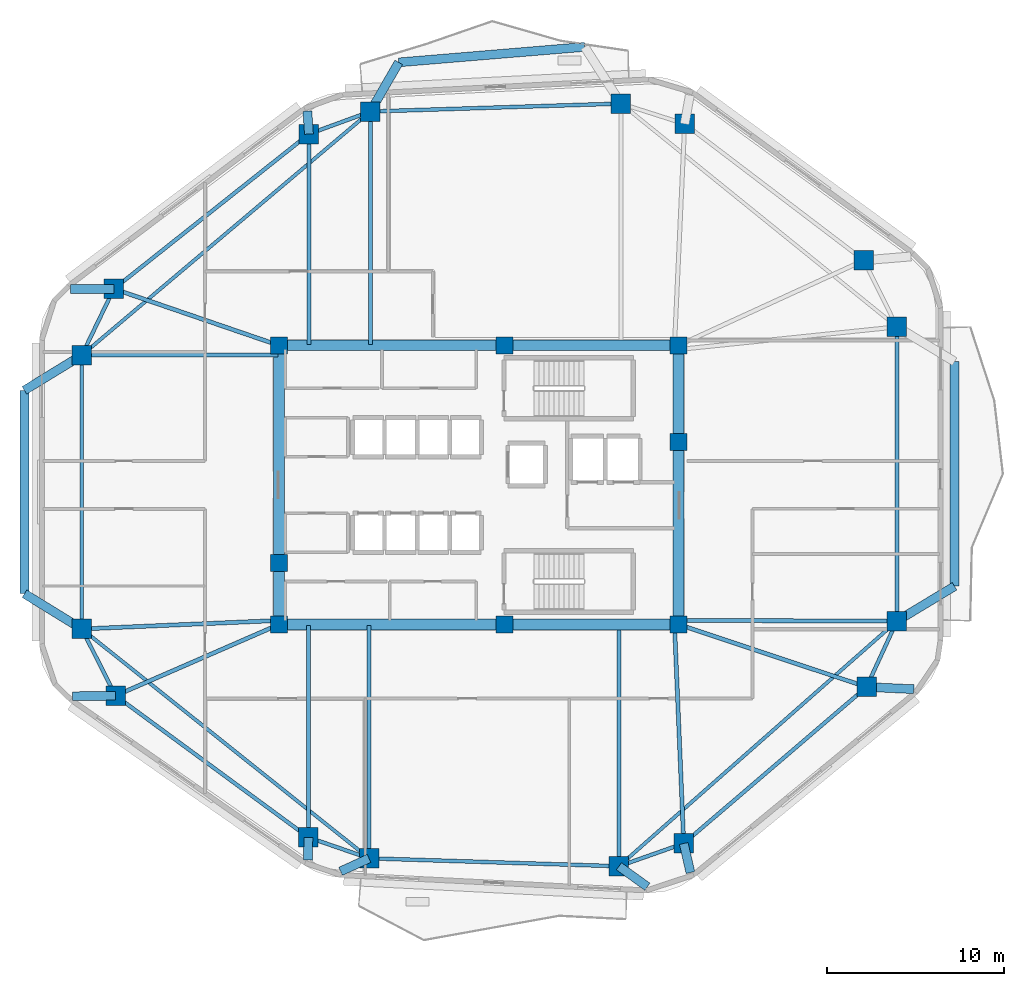
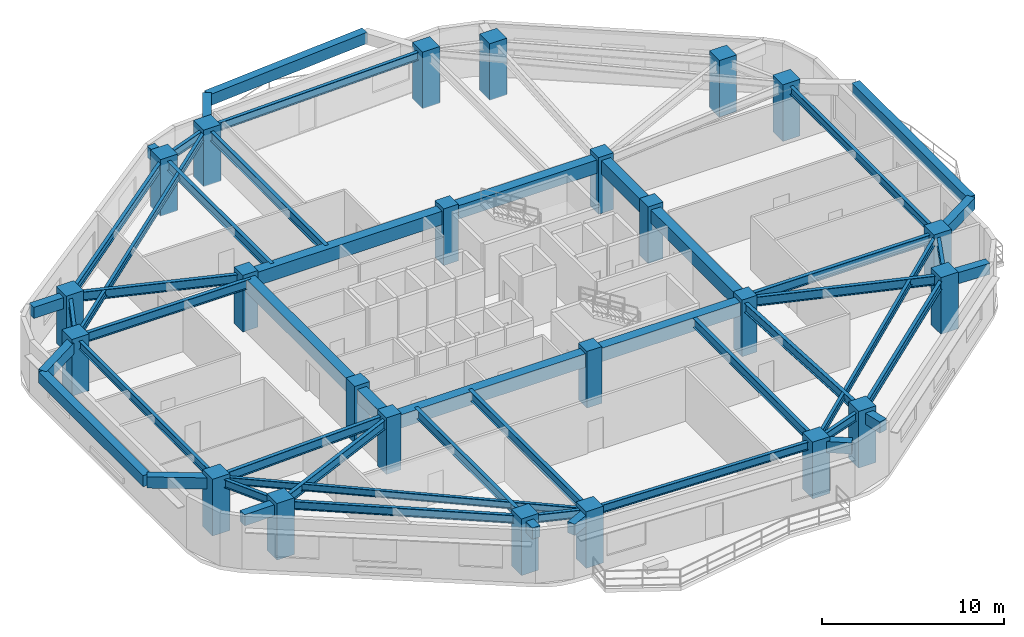
# One storey, part 1 of 8: 51 beams, 24 columns.
"""IFC4 building model written with IfcOpenShell, lengths in metres."""

import ifcopenshell
import ifcopenshell.guid

model = None  # the IFC model being written
_history = None  # IfcOwnerHistory: only IFC2X3 demands one
_inside = {}  # id of a spatial element -> (the spatial element, [elements in it])
_under = {}  # id of a project, library or spatial element -> (it, [spatial elements below it])
_declared = {}  # id of a project -> (the project, [libraries it declares])
_typed = {}  # id of a type object -> (the type object, [elements of that type])
_made_of = {}  # id of a material, layer set ... -> (it, [elements and type objects made of it])


def new_model(schema):
    """Start an empty IFC model of exactly this schema.

    Asked for "IFC4X3", IfcOpenShell would pick the latest addendum, in which some entities
    have other attributes; the version numbers below select the first issue.
    IFC2X3 requires an IfcOwnerHistory on every rooted entity: one is made here for all.
    """
    global model, _history
    if schema == "IFC4X3":
        model = ifcopenshell.file(schema_version=(4, 3, 0, 0))
    else:
        model = ifcopenshell.file(schema=schema)
    _inside.clear()
    _under.clear()
    _declared.clear()
    _typed.clear()
    _made_of.clear()
    _history = None
    if model.schema == "IFC2X3":
        org = make("IfcOrganization", Name="unknown")
        user = make(
            "IfcPersonAndOrganization",
            ThePerson=make("IfcPerson", FamilyName="unknown"),
            TheOrganization=org,
        )
        app = make(
            "IfcApplication",
            ApplicationDeveloper=org,
            Version="unknown",
            ApplicationFullName="unknown",
            ApplicationIdentifier="unknown",
        )
        _history = make(
            "IfcOwnerHistory",
            OwningUser=user,
            OwningApplication=app,
            ChangeAction="ADDED",
            CreationDate=0,
        )
    return model


def make(cls, **values):
    """One entity of the class cls with the attributes given. An attribute that is None is left unset."""
    return model.create_entity(
        cls, **{name: value for name, value in values.items() if value is not None}
    )


def rooted(cls, **values):
    """An entity with a GlobalId (a new one), such as an element, a storey or a relation."""
    return make(cls, GlobalId=ifcopenshell.guid.new(), OwnerHistory=_history, **values)


def si_unit(unit_type, name, prefix=None):
    """IfcSIUnit, for example si_unit("LENGTHUNIT", "METRE", prefix="MILLI")."""
    return make("IfcSIUnit", UnitType=unit_type, Prefix=prefix, Name=name)


def assignment(units):
    """IfcUnitAssignment: the units of a project."""
    return None if units is None else make("IfcUnitAssignment", Units=units)


def point(xyz):
    """IfcCartesianPoint."""
    return None if xyz is None else make("IfcCartesianPoint", Coordinates=xyz)


def direction(xyz):
    """IfcDirection."""
    return None if xyz is None else make("IfcDirection", DirectionRatios=xyz)


def frame(location, z_axis=None, x_axis=None):
    """IfcAxis2Placement3D, a coordinate frame: its origin and axes. An axis left out is left unset."""
    return make(
        "IfcAxis2Placement3D",
        Location=point(location),
        Axis=direction(z_axis),
        RefDirection=direction(x_axis),
    )


def frame_2d(location, x_axis=None):
    """IfcAxis2Placement2D, a coordinate frame in the plane: its origin and x axis."""
    return make(
        "IfcAxis2Placement2D", Location=point(location), RefDirection=direction(x_axis)
    )


def origin():
    """The frame at (0, 0, 0) with its axes left unset."""
    return frame((0.0, 0.0, 0.0))


def origin_2d():
    """The frame at (0, 0) in the plane with its x axis left unset."""
    return frame_2d((0.0, 0.0))


def place(relative_to, where):
    """IfcLocalPlacement: puts the frame where relative to a parent placement (None: the world)."""
    return make(
        "IfcLocalPlacement", PlacementRelTo=relative_to, RelativePlacement=where
    )


def context(
    kind, dimensions, precision=None, world=None, true_north=None, identifier=None
):
    """IfcGeometricRepresentationContext, for example the 3D "Model" context."""
    return make(
        "IfcGeometricRepresentationContext",
        ContextIdentifier=identifier,
        ContextType=kind,
        CoordinateSpaceDimension=dimensions,
        Precision=precision,
        WorldCoordinateSystem=world,
        TrueNorth=true_north,
    )


def subcontext(parent, identifier, kind, view, scale=None):
    """IfcGeometricRepresentationSubContext, for example "Body" below "Model"."""
    return make(
        "IfcGeometricRepresentationSubContext",
        ContextIdentifier=identifier,
        ContextType=kind,
        ParentContext=parent,
        TargetScale=scale,
        TargetView=view,
    )


def project(units=None, contexts=None):
    """IfcProject with its units and contexts."""
    return rooted(
        "IfcProject",
        Name="project",
        RepresentationContexts=contexts,
        UnitsInContext=assignment(units),
    )


def spatial(cls, under=None, at=None, **own):
    """A site, building, storey or space (cls), placed at a placement, below another one or the project."""
    s = rooted(cls, ObjectPlacement=at, **own)
    if under is not None:
        _under.setdefault(under.id(), (under, []))[1].append(s)
    return s


def profile(cls, at=None, kind="AREA", **sizes):
    """A parametric profile (cls). Its sizes go by their IFC names, for example OverallWidth=200.0."""
    return make(cls, ProfileType=kind, Position=at, **sizes)


def rectangle(**sizes):
    """IfcRectangleProfileDef."""
    return profile("IfcRectangleProfileDef", **sizes)


def i_section(**sizes):
    """IfcIShapeProfileDef."""
    return profile("IfcIShapeProfileDef", **sizes)


def extrude(swept, where, along, depth):
    """IfcExtrudedAreaSolid: the profile swept, set in the frame where, extruded along a direction by depth."""
    return make(
        "IfcExtrudedAreaSolid",
        SweptArea=swept,
        Position=where,
        ExtrudedDirection=direction(along),
        Depth=depth,
    )


def shape(context_of_items, identifier, shape_type, items):
    """IfcShapeRepresentation: the items that make up one representation, for example the "Body"."""
    return make(
        "IfcShapeRepresentation",
        ContextOfItems=context_of_items,
        RepresentationIdentifier=identifier,
        RepresentationType=shape_type,
        Items=items,
    )


def material(Name=None, Category=None):
    """IfcMaterial."""
    return make("IfcMaterial", Name=Name, Category=Category)


def material_profile(
    of_material, cross_section, Name=None, Category=None, Priority=None
):
    """IfcMaterialProfile: a cross section and its material."""
    return make(
        "IfcMaterialProfile",
        Name=Name,
        Material=of_material,
        Profile=cross_section,
        Priority=Priority,
        Category=Category,
    )


def profile_set(profiles, Name=None, composite=None):
    """IfcMaterialProfileSet."""
    return make(
        "IfcMaterialProfileSet",
        Name=Name,
        MaterialProfiles=profiles,
        CompositeProfile=composite,
    )


def made_of(thing, what):
    """Note that an element or type object is made of a material, layer set ...; save() writes the relation."""
    if what is not None:
        _made_of.setdefault(what.id(), (what, []))[1].append(thing)
    return thing


def type_object(cls, material=None, **own):
    """A type object (cls), such as IfcWallType, which elements share."""
    return made_of(rooted(cls, **own), material)


def element(
    cls,
    number,
    at=None,
    inside=None,
    cuts=None,
    type_object=None,
    material=None,
    context=None,
    identifier="Body",
    shape_type=None,
    held_by="IfcProductDefinitionShape",
    body=None,
    shapes=None,
    **own,
):
    """One element of the class cls, such as IfcWall. Its Tag is "e" and its number.

    at: its placement. inside: the storey or other place that contains it. cuts: it is an
    opening in that element (IfcRelVoidsElement). A single representation is given by context,
    identifier, shape_type and body (its items); several are given by shapes. held_by: the class
    of the entity that holds the representations. save() writes the other relations.
    """
    e = rooted(cls, Tag="e%d" % number, ObjectPlacement=at, **own)
    if body is not None:
        shapes = [shape(context, identifier, shape_type, body)]
    if shapes is not None:
        e.Representation = make(held_by, Representations=shapes)
    if inside is not None:
        _inside.setdefault(inside.id(), (inside, []))[1].append(e)
    if cuts is not None:
        rooted(
            "IfcRelVoidsElement", RelatingBuildingElement=cuts, RelatedOpeningElement=e
        )
    if type_object is not None:
        _typed.setdefault(type_object.id(), (type_object, []))[1].append(e)
    return made_of(e, material)


def aggregate(whole, parts):
    """IfcRelAggregates: a whole, such as a stair, and the parts it consists of."""
    return rooted("IfcRelAggregates", RelatingObject=whole, RelatedObjects=parts)


def save(model, path):
    """Write the relations noted so far, then the file.

    IfcRelAggregates (storeys below a building ...), IfcRelContainedInSpatialStructure (elements
    in a storey), IfcRelDefinesByType, IfcRelAssociatesMaterial and IfcRelDeclares: one each for
    every whole, place, type object, material and project.
    """
    for whole, parts in _under.values():
        aggregate(whole, parts)
    for where, things in _inside.values():
        rooted(
            "IfcRelContainedInSpatialStructure",
            RelatedElements=things,
            RelatingStructure=where,
        )
    for kind, things in _typed.values():
        rooted("IfcRelDefinesByType", RelatedObjects=things, RelatingType=kind)
    for what, things in _made_of.values():
        rooted("IfcRelAssociatesMaterial", RelatedObjects=things, RelatingMaterial=what)
    for by, libraries in _declared.values():
        rooted("IfcRelDeclares", RelatingContext=by, RelatedDefinitions=libraries)
    model.write(path)


model = new_model("IFC4")

# Units and contexts
model_context = context("Model", 3, precision=1e-05, world=origin(), true_north=direction((0.0, 1.0)))
body_context = subcontext(model_context, "Body", "Model", "MODEL_VIEW")
ifc_project = project(units=[si_unit("LENGTHUNIT", "METRE"), si_unit("AREAUNIT", "SQUARE_METRE"), si_unit("VOLUMEUNIT", "CUBIC_METRE"), si_unit("PLANEANGLEUNIT", "RADIAN"), si_unit("MASSUNIT", "GRAM", prefix="KILO")], contexts=[model_context])

# Site, building, storey
site_placement = place(None, origin())
site = spatial("IfcSite", under=ifc_project, at=site_placement, CompositionType="ELEMENT")
building_placement = place(site_placement, origin())
building = spatial("IfcBuilding", under=site, at=building_placement, Name="Zulverin Broadcast Headquarters", CompositionType="ELEMENT")
storey_placement = place(building_placement, frame((0.0, 0.0, 136.39990234375)))
storey = spatial("IfcBuildingStorey", under=building, at=storey_placement, Name="L34", CompositionType="ELEMENT", Elevation=136.39990234375)

# Columns
ifc_material_1 = material(Name="Concrete C60/75", Category="concrete")
ifc_material_profile_1 = material_profile(ifc_material_1, rectangle(XDim=1.10009765625, YDim=1.10009765625, at=origin_2d()), Name="Concrete C60/75", Category="concrete")
ifc_profile_set_1 = profile_set([ifc_material_profile_1], Name="Concrete C60/75")
column_type_1 = type_object("IfcColumnType", Name="COL-RC-1100", PredefinedType="COLUMN", material=ifc_profile_set_1)
for number, where, z_axis, x_axis, name in (
    (1, (30.80859375, 4.12744140625, 0.0), (0.0, 0.0, 1.0), (1.0, 0.0, 0.0), "L34 Perimeter Column T01"),
    (2, (44.909912109375, 3.68017578125, 0.0), (0.0, 0.0, 1.0), (1.0, 0.0, 0.0), "L34 Perimeter Column T02"),
    (3, (48.569580078125, 4.967041015625, 0.0), (0.0, 0.0, 1.0), (1.0, 0.0, 0.0), "L34 Perimeter Column T03"),
    (4, (58.886962890625, 13.798095703125, 0.0), (0.0, 0.0, 1.0), (1.0, 0.0, 0.0), "L34 Perimeter Column T04"),
    (5, (60.60009765625, 17.519287109375, 0.0), (0.0, 0.0, 1.0), (1.0, 0.0, 0.0), "L34 Perimeter Column T05"),
    (6, (60.60009765625, 34.12158203125, 0.0), (0.0, 0.0, 1.0), (1.0, 0.0, 0.0), "L34 Perimeter Column T06"),
    (7, (58.738037109375, 37.877685546875, 0.0), (0.0, 0.0, 1.0), (1.0, 0.0, 0.0), "L34 Perimeter Column T07"),
    (8, (48.62158203125, 45.574951171875, 0.0), (0.0, 0.0, 1.0), (1.0, 0.0, 0.0), "L34 Perimeter Column T08"),
    (9, (45.027587890625, 46.7236328125, 0.0), (0.0, 0.0, 1.0), (1.0, 0.0, 0.0), "L34 Perimeter Column T09"),
    (10, (30.882080078125, 46.27490234375, 0.0), (0.0, 0.0, 1.0), (1.0, 0.0, 0.0), "L34 Perimeter Column T10"),
    (11, (27.416259765625, 45.00439453125, 0.0), (0.0, 0.0, 1.0), (1.0, 0.0, 0.0), "L34 Perimeter Column T11"),
    (12, (16.40869140625, 36.26806640625, 0.0), (0.0, 0.0, 1.0), (1.0, 0.0, 0.0), "L34 Perimeter Column T12"),
    (13, (14.60009765625, 32.523193359375, 0.0), (0.0, 0.0, 1.0), (1.0, 0.0, 0.0), "L34 Perimeter Column T13"),
    (14, (14.60009765625, 17.072021484375, 0.0), (0.0, 0.0, 1.0), (1.0, 0.0, 0.0), "L34 Perimeter Column T14"),
    (15, (16.50537109375, 13.306884765625, 0.0), (0.0, 0.0, 1.0), (1.0, 0.0, 0.0), "L34 Perimeter Column T15"),
    (16, (27.38720703125, 5.309814453125, 0.0), (0.0, 0.0, 1.0), (1.0, 0.0, 0.0), "L34 Perimeter Column T16"),
):
    element("IfcColumn", number, at=place(storey_placement, frame(where, z_axis=z_axis, x_axis=x_axis)), inside=storey, type_object=column_type_1, Name=name, PredefinedType="COLUMN", context=body_context, shape_type="SweptSolid", body=[
        extrude(rectangle(XDim=1.10009765625, YDim=1.10009765625, at=origin_2d()), origin(), (0.0, 0.0, 1.0), 3.800048828125),
    ])
ifc_material_2 = material(Name="Concrete C50/60", Category="concrete")
ifc_material_profile_2 = material_profile(ifc_material_2, rectangle(XDim=0.949951171875, YDim=0.949951171875, at=origin_2d()), Name="Concrete C50/60", Category="concrete")
ifc_profile_set_2 = profile_set([ifc_material_profile_2], Name="Concrete C50/60")
column_type_2 = type_object("IfcColumnType", Name="PIL-RC-950", PredefinedType="PILASTER", material=ifc_profile_set_2)
for number, where, z_axis, x_axis, name in (
    (17, (25.72509765625, 17.324951171875, 0.0), (0.0, 0.0, 1.0), (1.0, 0.0, 0.0), "L34 Core Pilaster K01"),
    (18, (38.449951171875, 17.324951171875, 0.0), (0.0, 0.0, 1.0), (1.0, 0.0, 0.0), "L34 Core Pilaster K02"),
    (19, (48.27490234375, 17.324951171875, 0.0), (0.0, 0.0, 1.0), (1.0, 0.0, 0.0), "L34 Core Pilaster K03"),
    (20, (48.27490234375, 27.6201171875, 0.0), (0.0, 0.0, 1.0), (1.0, 0.0, 0.0), "L34 Core Pilaster K04"),
    (21, (48.27490234375, 33.074951171875, 0.0), (0.0, 0.0, 1.0), (1.0, 0.0, 0.0), "L34 Core Pilaster K05"),
    (22, (38.449951171875, 33.074951171875, 0.0), (0.0, 0.0, 1.0), (1.0, 0.0, 0.0), "L34 Core Pilaster K06"),
    (23, (25.72509765625, 33.074951171875, 0.0), (0.0, 0.0, 1.0), (1.0, 0.0, 0.0), "L34 Core Pilaster K07"),
    (24, (25.72509765625, 20.800048828125, 0.0), (0.0, 0.0, 1.0), (1.0, 0.0, 0.0), "L34 Core Pilaster K08"),
):
    element("IfcColumn", number, at=place(storey_placement, frame(where, z_axis=z_axis, x_axis=x_axis)), inside=storey, type_object=column_type_2, Name=name, PredefinedType="PILASTER", context=body_context, shape_type="SweptSolid", body=[
        extrude(rectangle(XDim=0.949951171875, YDim=0.949951171875, at=origin_2d()), origin(), (0.0, 0.0, 1.0), 3.800048828125),
    ])

# Beams
ifc_material_profile_3 = material_profile(ifc_material_1, rectangle(XDim=0.60009765625, YDim=0.89990234375, at=origin_2d()), Name="Concrete C60/75", Category="concrete")
ifc_profile_set_3 = profile_set([ifc_material_profile_3], Name="Concrete C60/75")
beam_type_1 = type_object("IfcBeamType", Name="BM-CB-600x900", PredefinedType="LINTEL", material=ifc_profile_set_3)
beam_1_placement = place(storey_placement, frame((25.72509765625, 17.324951171875, 3.090087890625), z_axis=(1.0, 0.0, 0.0), x_axis=(0.0, 1.0, 0.0)))
element("IfcBeam", 25, at=beam_1_placement, inside=storey, type_object=beam_type_1, Name="L34 Core Coupling Girder K01-K02", PredefinedType="LINTEL", context=body_context, shape_type="SweptSolid", body=[
    extrude(rectangle(XDim=0.60009765625, YDim=0.89990234375, at=origin_2d()), origin(), (0.0, 0.0, 1.0), 12.724853515625),
])
beam_2_placement = place(storey_placement, frame((38.449951171875, 17.324951171875, 3.090087890625), z_axis=(1.0, 0.0, 0.0), x_axis=(0.0, 1.0, 0.0)))
element("IfcBeam", 26, at=beam_2_placement, inside=storey, type_object=beam_type_1, Name="L34 Core Coupling Girder K02-K03", PredefinedType="LINTEL", context=body_context, shape_type="SweptSolid", body=[
    extrude(rectangle(XDim=0.60009765625, YDim=0.89990234375, at=origin_2d()), origin(), (0.0, 0.0, 1.0), 9.824951171875),
])
beam_3_placement = place(storey_placement, frame((48.27490234375, 17.324951171875, 3.090087890625), z_axis=(0.0, 1.0, 0.0), x_axis=(-1.0, 0.0, 0.0)))
element("IfcBeam", 27, at=beam_3_placement, inside=storey, type_object=beam_type_1, Name="L34 Core Coupling Girder K03-K04", PredefinedType="LINTEL", context=body_context, shape_type="SweptSolid", body=[
    extrude(rectangle(XDim=0.60009765625, YDim=0.89990234375, at=origin_2d()), origin(), (0.0, 0.0, 1.0), 10.295166015625),
])
beam_4_placement = place(storey_placement, frame((48.27490234375, 27.6201171875, 3.090087890625), z_axis=(0.0, 1.0, 0.0), x_axis=(-1.0, 0.0, 0.0)))
element("IfcBeam", 28, at=beam_4_placement, inside=storey, type_object=beam_type_1, Name="L34 Core Coupling Girder K04-K05", PredefinedType="LINTEL", context=body_context, shape_type="SweptSolid", body=[
    extrude(rectangle(XDim=0.60009765625, YDim=0.89990234375, at=origin_2d()), origin(), (0.0, 0.0, 1.0), 5.454833984375),
])
beam_5_placement = place(storey_placement, frame((48.27490234375, 33.074951171875, 3.090087890625), z_axis=(-1.0, 0.0, 0.0), x_axis=(0.0, -1.0, 0.0)))
element("IfcBeam", 29, at=beam_5_placement, inside=storey, type_object=beam_type_1, Name="L34 Core Coupling Girder K05-K06", PredefinedType="LINTEL", context=body_context, shape_type="SweptSolid", body=[
    extrude(rectangle(XDim=0.60009765625, YDim=0.89990234375, at=origin_2d()), origin(), (0.0, 0.0, 1.0), 9.824951171875),
])
beam_6_placement = place(storey_placement, frame((38.449951171875, 33.074951171875, 3.090087890625), z_axis=(-1.0, 0.0, 0.0), x_axis=(0.0, -1.0, 0.0)))
element("IfcBeam", 30, at=beam_6_placement, inside=storey, type_object=beam_type_1, Name="L34 Core Coupling Girder K06-K07", PredefinedType="LINTEL", context=body_context, shape_type="SweptSolid", body=[
    extrude(rectangle(XDim=0.60009765625, YDim=0.89990234375, at=origin_2d()), origin(), (0.0, 0.0, 1.0), 12.724853515625),
])
beam_7_placement = place(storey_placement, frame((25.72509765625, 33.074951171875, 3.090087890625), z_axis=(0.0, -1.0, 0.0), x_axis=(1.0, 0.0, 0.0)))
element("IfcBeam", 31, at=beam_7_placement, inside=storey, type_object=beam_type_1, Name="L34 Core Coupling Girder K07-K08", PredefinedType="LINTEL", context=body_context, shape_type="SweptSolid", body=[
    extrude(rectangle(XDim=0.60009765625, YDim=0.89990234375, at=origin_2d()), origin(), (0.0, 0.0, 1.0), 12.27490234375),
])
beam_8_placement = place(storey_placement, frame((25.72509765625, 20.800048828125, 3.090087890625), z_axis=(0.0, -1.0, 0.0), x_axis=(1.0, 0.0, 0.0)))
element("IfcBeam", 32, at=beam_8_placement, inside=storey, type_object=beam_type_1, Name="L34 Core Coupling Girder K08-K01", PredefinedType="LINTEL", context=body_context, shape_type="SweptSolid", body=[
    extrude(rectangle(XDim=0.60009765625, YDim=0.89990234375, at=origin_2d()), origin(), (0.0, 0.0, 1.0), 3.47509765625),
])
ifc_material_3 = material(Name="Concrete C40/50", Category="concrete")
ifc_material_profile_4 = material_profile(ifc_material_3, rectangle(XDim=0.5, YDim=0.75, at=origin_2d()), Name="Concrete C40/50", Category="concrete")
ifc_profile_set_4 = profile_set([ifc_material_profile_4], Name="Concrete C40/50")
beam_type_2 = type_object("IfcBeamType", Name="BM-RC-500x750", PredefinedType="BEAM", material=ifc_profile_set_4)
beam_9_placement = place(storey_placement, frame((30.80859375, 4.12744140625, 3.1650390625), z_axis=(-0.909267935358, -0.416211270547, 0.0), x_axis=(0.416211270547, -0.909267935358, 0.0)))
element("IfcBeam", 33, at=beam_9_placement, inside=storey, type_object=beam_type_2, Name="L35 Plate Overhang Back-Spanned Beam OVR-01", PredefinedType="BEAM", context=body_context, shape_type="SweptSolid", body=[
    extrude(rectangle(XDim=0.5, YDim=0.75, at=origin_2d()), origin(), (0.0, 0.0, 1.0), 1.76318359375),
])
beam_10_placement = place(storey_placement, frame((44.909912109375, 3.68017578125, 3.1650390625), z_axis=(0.811920333529, -0.583768251965, 0.0), x_axis=(0.583768251965, 0.811920333529, 0.0)))
element("IfcBeam", 34, at=beam_10_placement, inside=storey, type_object=beam_type_2, Name="L35 Plate Overhang Back-Spanned Beam OVR-02", PredefinedType="BEAM", context=body_context, shape_type="SweptSolid", body=[
    extrude(rectangle(XDim=0.5, YDim=0.75, at=origin_2d()), origin(), (0.0, 0.0, 1.0), 1.978515625),
])
beam_11_placement = place(storey_placement, frame((48.569580078125, 4.967041015625, 3.1650390625), z_axis=(0.224096721795, -0.974566908571, 0.0), x_axis=(0.974566908571, 0.224096721795, 0.0)))
element("IfcBeam", 35, at=beam_11_placement, inside=storey, type_object=beam_type_2, Name="L35 Plate Overhang Back-Spanned Beam OVR-03", PredefinedType="BEAM", context=body_context, shape_type="SweptSolid", body=[
    extrude(rectangle(XDim=0.5, YDim=0.75, at=origin_2d()), origin(), (0.0, 0.0, 1.0), 1.68310546875),
])
beam_12_placement = place(storey_placement, frame((58.886962890625, 13.798095703125, 3.1650390625), z_axis=(0.998923539617, -0.046387088715, 0.0), x_axis=(0.046387088715, 0.998923539617, 0.0)))
element("IfcBeam", 36, at=beam_12_placement, inside=storey, type_object=beam_type_2, Name="L35 Plate Overhang Back-Spanned Beam OVR-04", PredefinedType="BEAM", context=body_context, shape_type="SweptSolid", body=[
    extrude(rectangle(XDim=0.5, YDim=0.75, at=origin_2d()), origin(), (0.0, 0.0, 1.0), 2.66845703125),
])
beam_13_placement = place(storey_placement, frame((27.416259765625, 45.00439453125, 3.1650390625), z_axis=(-0.068312581643, 0.99766396707, 0.0), x_axis=(-0.99766396707, -0.068312581643, 0.0)))
element("IfcBeam", 37, at=beam_13_placement, inside=storey, type_object=beam_type_2, Name="L35 Plate Overhang Back-Spanned Beam OVR-11", PredefinedType="BEAM", context=body_context, shape_type="SweptSolid", body=[
    extrude(rectangle(XDim=0.5, YDim=0.75, at=origin_2d()), origin(), (0.0, 0.0, 1.0), 1.30078125),
])
beam_14_placement = place(storey_placement, frame((16.40869140625, 36.26806640625, 3.1650390625), z_axis=(-0.999988487108, -0.004798505187, 0.0), x_axis=(0.004798505187, -0.999988487108, 0.0)))
element("IfcBeam", 38, at=beam_14_placement, inside=storey, type_object=beam_type_2, Name="L35 Plate Overhang Back-Spanned Beam OVR-12", PredefinedType="BEAM", context=body_context, shape_type="SweptSolid", body=[
    extrude(rectangle(XDim=0.5, YDim=0.75, at=origin_2d()), origin(), (0.0, 0.0, 1.0), 2.442138671875),
])
beam_15_placement = place(storey_placement, frame((16.50537109375, 13.306884765625, 3.1650390625), z_axis=(-0.999905564875, -0.013742682824, 0.0), x_axis=(0.013742682824, -0.999905564875, 0.0)))
element("IfcBeam", 39, at=beam_15_placement, inside=storey, type_object=beam_type_2, Name="L35 Plate Overhang Back-Spanned Beam OVR-15", PredefinedType="BEAM", context=body_context, shape_type="SweptSolid", body=[
    extrude(rectangle(XDim=0.5, YDim=0.75, at=origin_2d()), origin(), (0.0, 0.0, 1.0), 2.433837890625),
])
beam_16_placement = place(storey_placement, frame((27.38720703125, 5.309814453125, 3.1650390625), z_axis=(-0.025087158809, -0.999685267703, 0.0), x_axis=(0.999685267703, -0.025087158809, 0.0)))
element("IfcBeam", 40, at=beam_16_placement, inside=storey, type_object=beam_type_2, Name="L35 Plate Overhang Back-Spanned Beam OVR-16", PredefinedType="BEAM", context=body_context, shape_type="SweptSolid", body=[
    extrude(rectangle(XDim=0.5, YDim=0.75, at=origin_2d()), origin(), (0.0, 0.0, 1.0), 1.28466796875),
])
beam_17_placement = place(storey_placement, frame((60.60009765625, 17.519287109375, 3.1650390625), z_axis=(0.856009727797, 0.516959714017, 0.0), x_axis=(-0.516959714017, 0.856009727797, 0.0)))
element("IfcBeam", 41, at=beam_17_placement, inside=storey, type_object=beam_type_2, Name="L35 Balcony Column-Framed Cantilever BAL_E-1", PredefinedType="BEAM", context=body_context, shape_type="SweptSolid", body=[
    extrude(rectangle(XDim=0.5, YDim=0.75, at=origin_2d()), origin(), (0.0, 0.0, 1.0), 3.7998046875),
])
beam_18_placement = place(storey_placement, frame((63.852783203125, 19.483642578125, 3.1650390625), z_axis=(0.000173323573, 0.999999984979, 0.0), x_axis=(-0.999999984979, 0.000173323573, 0.0)))
element("IfcBeam", 42, at=beam_18_placement, inside=storey, type_object=beam_type_2, Name="L35 Balcony Outer Edge Trimmer Beam BAL_E", PredefinedType="BEAM", context=body_context, shape_type="SweptSolid", body=[
    extrude(rectangle(XDim=0.5, YDim=0.75, at=origin_2d()), origin(), (0.0, 0.0, 1.0), 12.67724609375),
])
beam_19_placement = place(storey_placement, frame((30.882080078125, 46.27490234375, 3.1650390625), z_axis=(0.500203959339, 0.865907615778, 0.0), x_axis=(-0.865907615778, 0.500203959339, 0.0)))
element("IfcBeam", 43, at=beam_19_placement, inside=storey, type_object=beam_type_2, Name="L35 Balcony Column-Framed Cantilever BAL_N-2", PredefinedType="BEAM", context=body_context, shape_type="SweptSolid", body=[
    extrude(rectangle(XDim=0.5, YDim=0.75, at=origin_2d()), origin(), (0.0, 0.0, 1.0), 3.203857421875),
])
beam_20_placement = place(storey_placement, frame((42.9765625, 49.922607421875, 3.1650390625), z_axis=(-0.996551992505, -0.082970634769, 0.0), x_axis=(0.082970634769, -0.996551992505, 0.0)))
element("IfcBeam", 44, at=beam_20_placement, inside=storey, type_object=beam_type_2, Name="L35 Balcony Outer Edge Trimmer Beam BAL_N", PredefinedType="BEAM", context=body_context, shape_type="SweptSolid", body=[
    extrude(rectangle(XDim=0.5, YDim=0.75, at=origin_2d()), origin(), (0.0, 0.0, 1.0), 10.5283203125),
])
beam_21_placement = place(storey_placement, frame((14.60009765625, 32.523193359375, 3.1650390625), z_axis=(-0.852717571214, -0.522372227194, 0.0), x_axis=(0.522372227194, -0.852717571214, 0.0)))
element("IfcBeam", 45, at=beam_21_placement, inside=storey, type_object=beam_type_2, Name="L35 Balcony Column-Framed Cantilever BAL_W-1", PredefinedType="BEAM", context=body_context, shape_type="SweptSolid", body=[
    extrude(rectangle(XDim=0.5, YDim=0.75, at=origin_2d()), origin(), (0.0, 0.0, 1.0), 3.80029296875),
])
beam_22_placement = place(storey_placement, frame((14.60009765625, 17.072021484375, 3.1650390625), z_axis=(-0.851870018849, 0.523753253915, 0.0), x_axis=(-0.523753253915, -0.851870018849, 0.0)))
element("IfcBeam", 46, at=beam_22_placement, inside=storey, type_object=beam_type_2, Name="L35 Balcony Column-Framed Cantilever BAL_W-2", PredefinedType="BEAM", context=body_context, shape_type="SweptSolid", body=[
    extrude(rectangle(XDim=0.5, YDim=0.75, at=origin_2d()), origin(), (0.0, 0.0, 1.0), 3.800048828125),
])
beam_23_placement = place(storey_placement, frame((11.359619140625, 30.5380859375, 3.1650390625), z_axis=(0.000297840642, -0.999999955645, 0.0), x_axis=(0.999999955645, 0.000297840642, 0.0)))
element("IfcBeam", 47, at=beam_23_placement, inside=storey, type_object=beam_type_2, Name="L35 Balcony Outer Edge Trimmer Beam BAL_W", PredefinedType="BEAM", context=body_context, shape_type="SweptSolid", body=[
    extrude(rectangle(XDim=0.5, YDim=0.75, at=origin_2d()), origin(), (0.0, 0.0, 1.0), 11.475830078125),
])
ifc_material_4 = material(Name="Structural steel S355JR", Category="steel")
ifc_material_profile_5 = material_profile(ifc_material_4, i_section(OverallWidth=0.19287109375, OverallDepth=0.46728515625, WebThickness=0.011474609375, FlangeThickness=0.01953125, at=origin_2d()), Name="Structural steel S355JR", Category="steel")
ifc_profile_set_5 = profile_set([ifc_material_profile_5], Name="Structural steel S355JR")
beam_type_3 = type_object("IfcBeamType", Name="BM-UB-457", PredefinedType="JOIST", material=ifc_profile_set_5)
beam_24_placement = place(storey_placement, frame((44.909912109375, 3.68017578125, 3.306396484375), z_axis=(0.74996043981, 0.661482682102, 0.0), x_axis=(-0.661482682102, 0.74996043981, 0.0)))
element("IfcBeam", 48, at=beam_24_placement, inside=storey, type_object=beam_type_3, Name="L34 Chordal Floor Joist J-01", PredefinedType="JOIST", context=body_context, shape_type="SweptSolid", body=[
    extrude(i_section(OverallWidth=0.19287109375, OverallDepth=0.46728515625, WebThickness=0.011474609375, FlangeThickness=0.01953125, at=origin_2d()), origin(), (0.0, 0.0, 1.0), 20.92138671875),
])
beam_25_placement = place(storey_placement, frame((30.882080078125, 46.27490234375, 3.306396484375), z_axis=(-0.763972566446, -0.645248725468, 0.0), x_axis=(0.645248725468, -0.763972566446, 0.0)))
element("IfcBeam", 49, at=beam_25_placement, inside=storey, type_object=beam_type_3, Name="L34 Chordal Floor Joist J-03", PredefinedType="JOIST", context=body_context, shape_type="SweptSolid", body=[
    extrude(i_section(OverallWidth=0.19287109375, OverallDepth=0.46728515625, WebThickness=0.011474609375, FlangeThickness=0.01953125, at=origin_2d()), origin(), (0.0, 0.0, 1.0), 21.312255859375),
])
beam_26_placement = place(storey_placement, frame((14.60009765625, 17.072021484375, 3.306396484375), z_axis=(0.781390996609, -0.624041753746, 0.0), x_axis=(0.624041753746, 0.781390996609, 0.0)))
element("IfcBeam", 50, at=beam_26_placement, inside=storey, type_object=beam_type_3, Name="L34 Chordal Floor Joist J-04", PredefinedType="JOIST", context=body_context, shape_type="SweptSolid", body=[
    extrude(i_section(OverallWidth=0.19287109375, OverallDepth=0.46728515625, WebThickness=0.011474609375, FlangeThickness=0.01953125, at=origin_2d()), origin(), (0.0, 0.0, 1.0), 20.7431640625),
])
ifc_material_profile_6 = material_profile(ifc_material_4, i_section(OverallWidth=0.2119140625, OverallDepth=0.54443359375, WebThickness=0.0126953125, FlangeThickness=0.021240234375, at=origin_2d()), Name="Structural steel S355JR", Category="steel")
ifc_profile_set_6 = profile_set([ifc_material_profile_6], Name="Structural steel S355JR")
beam_type_4 = type_object("IfcBeamType", Name="BM-UB-533", PredefinedType="SPANDREL", material=ifc_profile_set_6)
beam_27_placement = place(storey_placement, frame((30.80859375, 4.12744140625, 3.267822265625), z_axis=(0.999497363437, -0.031702058031, 0.0), x_axis=(0.031702058031, 0.999497363437, 0.0)))
element("IfcBeam", 51, at=beam_27_placement, inside=storey, type_object=beam_type_4, Name="L34 Perimeter Spandrel Beam SP-01", PredefinedType="SPANDREL", context=body_context, shape_type="SweptSolid", body=[
    extrude(i_section(OverallWidth=0.2119140625, OverallDepth=0.54443359375, WebThickness=0.0126953125, FlangeThickness=0.021240234375, at=origin_2d()), origin(), (0.0, 0.0, 1.0), 14.1083984375),
])
beam_28_placement = place(storey_placement, frame((44.909912109375, 3.68017578125, 3.267822265625), z_axis=(0.943376593622, 0.331723684121, 0.0), x_axis=(-0.331723684121, 0.943376593622, 0.0)))
element("IfcBeam", 52, at=beam_28_placement, inside=storey, type_object=beam_type_4, Name="L34 Perimeter Spandrel Beam SP-02", PredefinedType="SPANDREL", context=body_context, shape_type="SweptSolid", body=[
    extrude(i_section(OverallWidth=0.2119140625, OverallDepth=0.54443359375, WebThickness=0.0126953125, FlangeThickness=0.021240234375, at=origin_2d()), origin(), (0.0, 0.0, 1.0), 3.87939453125),
])
beam_29_placement = place(storey_placement, frame((48.569580078125, 4.967041015625, 3.267822265625), z_axis=(0.759708170965, 0.650264173217, 0.0), x_axis=(-0.650264173217, 0.759708170965, 0.0)))
element("IfcBeam", 53, at=beam_29_placement, inside=storey, type_object=beam_type_4, Name="L34 Perimeter Spandrel Beam SP-03", PredefinedType="SPANDREL", context=body_context, shape_type="SweptSolid", body=[
    extrude(i_section(OverallWidth=0.2119140625, OverallDepth=0.54443359375, WebThickness=0.0126953125, FlangeThickness=0.021240234375, at=origin_2d()), origin(), (0.0, 0.0, 1.0), 13.580810546875),
])
beam_30_placement = place(storey_placement, frame((58.886962890625, 13.798095703125, 3.267822265625), z_axis=(0.418184975358, 0.90836189175, 0.0), x_axis=(-0.90836189175, 0.418184975358, 0.0)))
element("IfcBeam", 54, at=beam_30_placement, inside=storey, type_object=beam_type_4, Name="L34 Perimeter Spandrel Beam SP-04", PredefinedType="SPANDREL", context=body_context, shape_type="SweptSolid", body=[
    extrude(i_section(OverallWidth=0.2119140625, OverallDepth=0.54443359375, WebThickness=0.0126953125, FlangeThickness=0.021240234375, at=origin_2d()), origin(), (0.0, 0.0, 1.0), 4.0966796875),
])
beam_31_placement = place(storey_placement, frame((60.60009765625, 17.519287109375, 3.267822265625), z_axis=(0.0, 1.0, 0.0), x_axis=(-1.0, 0.0, 0.0)))
element("IfcBeam", 55, at=beam_31_placement, inside=storey, type_object=beam_type_4, Name="L34 Perimeter Spandrel Beam SP-05", PredefinedType="SPANDREL", context=body_context, shape_type="SweptSolid", body=[
    extrude(i_section(OverallWidth=0.2119140625, OverallDepth=0.54443359375, WebThickness=0.0126953125, FlangeThickness=0.021240234375, at=origin_2d()), origin(), (0.0, 0.0, 1.0), 16.602294921875),
])
beam_32_placement = place(storey_placement, frame((45.027587890625, 46.7236328125, 3.267822265625), z_axis=(-0.999497221833, -0.031706522156, 0.0), x_axis=(0.031706522156, -0.999497221833, 0.0)))
element("IfcBeam", 56, at=beam_32_placement, inside=storey, type_object=beam_type_4, Name="L34 Perimeter Spandrel Beam SP-09", PredefinedType="SPANDREL", context=body_context, shape_type="SweptSolid", body=[
    extrude(i_section(OverallWidth=0.2119140625, OverallDepth=0.54443359375, WebThickness=0.0126953125, FlangeThickness=0.021240234375, at=origin_2d()), origin(), (0.0, 0.0, 1.0), 14.152587890625),
])
beam_33_placement = place(storey_placement, frame((30.882080078125, 46.27490234375, 3.267822265625), z_axis=(-0.938901965426, -0.344184687805, 0.0), x_axis=(0.344184687805, -0.938901965426, 0.0)))
element("IfcBeam", 57, at=beam_33_placement, inside=storey, type_object=beam_type_4, Name="L34 Perimeter Spandrel Beam SP-10", PredefinedType="SPANDREL", context=body_context, shape_type="SweptSolid", body=[
    extrude(i_section(OverallWidth=0.2119140625, OverallDepth=0.54443359375, WebThickness=0.0126953125, FlangeThickness=0.021240234375, at=origin_2d()), origin(), (0.0, 0.0, 1.0), 3.69140625),
])
beam_34_placement = place(storey_placement, frame((27.416259765625, 45.00439453125, 3.267822265625), z_axis=(-0.783283263401, -0.621664965457, 0.0), x_axis=(0.621664965457, -0.783283263401, 0.0)))
element("IfcBeam", 58, at=beam_34_placement, inside=storey, type_object=beam_type_4, Name="L34 Perimeter Spandrel Beam SP-11", PredefinedType="SPANDREL", context=body_context, shape_type="SweptSolid", body=[
    extrude(i_section(OverallWidth=0.2119140625, OverallDepth=0.54443359375, WebThickness=0.0126953125, FlangeThickness=0.021240234375, at=origin_2d()), origin(), (0.0, 0.0, 1.0), 14.05322265625),
])
beam_35_placement = place(storey_placement, frame((16.40869140625, 36.26806640625, 3.267822265625), z_axis=(-0.434890248034, -0.900483465792, 0.0), x_axis=(0.900483465792, -0.434890248034, 0.0)))
element("IfcBeam", 59, at=beam_35_placement, inside=storey, type_object=beam_type_4, Name="L34 Perimeter Spandrel Beam SP-12", PredefinedType="SPANDREL", context=body_context, shape_type="SweptSolid", body=[
    extrude(i_section(OverallWidth=0.2119140625, OverallDepth=0.54443359375, WebThickness=0.0126953125, FlangeThickness=0.021240234375, at=origin_2d()), origin(), (0.0, 0.0, 1.0), 4.15869140625),
])
beam_36_placement = place(storey_placement, frame((14.60009765625, 32.523193359375, 3.267822265625), z_axis=(0.0, -1.0, 0.0), x_axis=(1.0, 0.0, 0.0)))
element("IfcBeam", 60, at=beam_36_placement, inside=storey, type_object=beam_type_4, Name="L34 Perimeter Spandrel Beam SP-13", PredefinedType="SPANDREL", context=body_context, shape_type="SweptSolid", body=[
    extrude(i_section(OverallWidth=0.2119140625, OverallDepth=0.54443359375, WebThickness=0.0126953125, FlangeThickness=0.021240234375, at=origin_2d()), origin(), (0.0, 0.0, 1.0), 15.451171875),
])
beam_37_placement = place(storey_placement, frame((14.60009765625, 17.072021484375, 3.267822265625), z_axis=(0.451512947895, -0.892264567201, 0.0), x_axis=(0.892264567201, 0.451512947895, 0.0)))
element("IfcBeam", 61, at=beam_37_placement, inside=storey, type_object=beam_type_4, Name="L34 Perimeter Spandrel Beam SP-14", PredefinedType="SPANDREL", context=body_context, shape_type="SweptSolid", body=[
    extrude(i_section(OverallWidth=0.2119140625, OverallDepth=0.54443359375, WebThickness=0.0126953125, FlangeThickness=0.021240234375, at=origin_2d()), origin(), (0.0, 0.0, 1.0), 4.2197265625),
])
beam_38_placement = place(storey_placement, frame((16.50537109375, 13.306884765625, 3.267822265625), z_axis=(0.805802234061, -0.592184734338, 0.0), x_axis=(0.592184734338, 0.805802234061, 0.0)))
element("IfcBeam", 62, at=beam_38_placement, inside=storey, type_object=beam_type_4, Name="L34 Perimeter Spandrel Beam SP-15", PredefinedType="SPANDREL", context=body_context, shape_type="SweptSolid", body=[
    extrude(i_section(OverallWidth=0.2119140625, OverallDepth=0.54443359375, WebThickness=0.0126953125, FlangeThickness=0.021240234375, at=origin_2d()), origin(), (0.0, 0.0, 1.0), 13.50439453125),
])
beam_39_placement = place(storey_placement, frame((27.38720703125, 5.309814453125, 3.267822265625), z_axis=(0.945152732867, -0.326628705956, 0.0), x_axis=(0.326628705956, 0.945152732867, 0.0)))
element("IfcBeam", 63, at=beam_39_placement, inside=storey, type_object=beam_type_4, Name="L34 Perimeter Spandrel Beam SP-16", PredefinedType="SPANDREL", context=body_context, shape_type="SweptSolid", body=[
    extrude(i_section(OverallWidth=0.2119140625, OverallDepth=0.54443359375, WebThickness=0.0126953125, FlangeThickness=0.021240234375, at=origin_2d()), origin(), (0.0, 0.0, 1.0), 3.619873046875),
])
ifc_material_profile_7 = material_profile(ifc_material_4, i_section(OverallWidth=0.230224609375, OverallDepth=0.6171875, WebThickness=0.01318359375, FlangeThickness=0.022216796875, at=origin_2d()), Name="Structural steel S355JR", Category="steel")
ifc_profile_set_7 = profile_set([ifc_material_profile_7], Name="Structural steel S355JR")
beam_type_5 = type_object("IfcBeamType", Name="BM-UB-610", PredefinedType="BEAM", material=ifc_profile_set_7)
beam_40_placement = place(storey_placement, frame((30.80859375, 17.27490234375, 3.2314453125), z_axis=(0.0, -1.0, 0.0), x_axis=(1.0, 0.0, 0.0)))
element("IfcBeam", 64, at=beam_40_placement, inside=storey, type_object=beam_type_5, Name="L34 Radial Primary Floor Beam RB-01", PredefinedType="BEAM", context=body_context, shape_type="SweptSolid", body=[
    extrude(i_section(OverallWidth=0.230224609375, OverallDepth=0.6171875, WebThickness=0.01318359375, FlangeThickness=0.022216796875, at=origin_2d()), origin(), (0.0, 0.0, 1.0), 13.1474609375),
])
beam_41_placement = place(storey_placement, frame((44.909912109375, 17.27490234375, 3.2314453125), z_axis=(0.0, -1.0, 0.0), x_axis=(1.0, 0.0, 0.0)))
element("IfcBeam", 65, at=beam_41_placement, inside=storey, type_object=beam_type_5, Name="L34 Radial Primary Floor Beam RB-02", PredefinedType="BEAM", context=body_context, shape_type="SweptSolid", body=[
    extrude(i_section(OverallWidth=0.230224609375, OverallDepth=0.6171875, WebThickness=0.01318359375, FlangeThickness=0.022216796875, at=origin_2d()), origin(), (0.0, 0.0, 1.0), 13.5947265625),
])
beam_42_placement = place(storey_placement, frame((48.050048828125, 17.27490234375, 3.2314453125), z_axis=(0.042173778549, -0.99911029041, 0.0), x_axis=(0.99911029041, 0.042173778549, 0.0)))
element("IfcBeam", 66, at=beam_42_placement, inside=storey, type_object=beam_type_5, Name="L34 Radial Primary Floor Beam RB-03", PredefinedType="BEAM", context=body_context, shape_type="SweptSolid", body=[
    extrude(i_section(OverallWidth=0.230224609375, OverallDepth=0.6171875, WebThickness=0.01318359375, FlangeThickness=0.022216796875, at=origin_2d()), origin(), (0.0, 0.0, 1.0), 12.31884765625),
])
beam_43_placement = place(storey_placement, frame((48.27490234375, 17.324951171875, 3.2314453125), z_axis=(0.948964552547, -0.315382748432, 0.0), x_axis=(0.315382748432, 0.948964552547, 0.0)))
element("IfcBeam", 67, at=beam_43_placement, inside=storey, type_object=beam_type_5, Name="L34 Radial Primary Floor Beam RB-04", PredefinedType="BEAM", context=body_context, shape_type="SweptSolid", body=[
    extrude(i_section(OverallWidth=0.230224609375, OverallDepth=0.6171875, WebThickness=0.01318359375, FlangeThickness=0.022216796875, at=origin_2d()), origin(), (0.0, 0.0, 1.0), 11.182861328125),
])
beam_44_placement = place(storey_placement, frame((48.324951171875, 17.550048828125, 3.2314453125), z_axis=(0.999996859956, -0.002506008559, 0.0), x_axis=(0.002506008559, 0.999996859956, 0.0)))
element("IfcBeam", 68, at=beam_44_placement, inside=storey, type_object=beam_type_5, Name="L34 Radial Primary Floor Beam RB-05", PredefinedType="BEAM", context=body_context, shape_type="SweptSolid", body=[
    extrude(i_section(OverallWidth=0.230224609375, OverallDepth=0.6171875, WebThickness=0.01318359375, FlangeThickness=0.022216796875, at=origin_2d()), origin(), (0.0, 0.0, 1.0), 12.275146484375),
])
beam_45_placement = place(storey_placement, frame((30.882080078125, 33.125, 3.2314453125), z_axis=(0.0, 1.0, 0.0), x_axis=(-1.0, 0.0, 0.0)))
element("IfcBeam", 69, at=beam_45_placement, inside=storey, type_object=beam_type_5, Name="L34 Radial Primary Floor Beam RB-10", PredefinedType="BEAM", context=body_context, shape_type="SweptSolid", body=[
    extrude(i_section(OverallWidth=0.230224609375, OverallDepth=0.6171875, WebThickness=0.01318359375, FlangeThickness=0.022216796875, at=origin_2d()), origin(), (0.0, 0.0, 1.0), 13.14990234375),
])
beam_46_placement = place(storey_placement, frame((27.416259765625, 33.125, 3.2314453125), z_axis=(0.0, 1.0, 0.0), x_axis=(-1.0, 0.0, 0.0)))
element("IfcBeam", 70, at=beam_46_placement, inside=storey, type_object=beam_type_5, Name="L34 Radial Primary Floor Beam RB-11", PredefinedType="BEAM", context=body_context, shape_type="SweptSolid", body=[
    extrude(i_section(OverallWidth=0.230224609375, OverallDepth=0.6171875, WebThickness=0.01318359375, FlangeThickness=0.022216796875, at=origin_2d()), origin(), (0.0, 0.0, 1.0), 11.87939453125),
])
beam_47_placement = place(storey_placement, frame((25.72509765625, 33.074951171875, 3.2314453125), z_axis=(-0.945979621685, 0.324226086793, 0.0), x_axis=(-0.324226086793, -0.945979621685, 0.0)))
element("IfcBeam", 71, at=beam_47_placement, inside=storey, type_object=beam_type_5, Name="L34 Radial Primary Floor Beam RB-12", PredefinedType="BEAM", context=body_context, shape_type="SweptSolid", body=[
    extrude(i_section(OverallWidth=0.230224609375, OverallDepth=0.6171875, WebThickness=0.01318359375, FlangeThickness=0.022216796875, at=origin_2d()), origin(), (0.0, 0.0, 1.0), 9.848388671875),
])
beam_48_placement = place(storey_placement, frame((25.675048828125, 32.523193359375, 3.2314453125), z_axis=(-1.0, 0.0, 0.0), x_axis=(0.0, -1.0, 0.0)))
element("IfcBeam", 72, at=beam_48_placement, inside=storey, type_object=beam_type_5, Name="L34 Radial Primary Floor Beam RB-13", PredefinedType="BEAM", context=body_context, shape_type="SweptSolid", body=[
    extrude(i_section(OverallWidth=0.230224609375, OverallDepth=0.6171875, WebThickness=0.01318359375, FlangeThickness=0.022216796875, at=origin_2d()), origin(), (0.0, 0.0, 1.0), 11.074951171875),
])
beam_49_placement = place(storey_placement, frame((25.675048828125, 17.550048828125, 3.2314453125), z_axis=(-0.999069780306, -0.043122779134, 0.0), x_axis=(0.043122779134, -0.999069780306, 0.0)))
element("IfcBeam", 73, at=beam_49_placement, inside=storey, type_object=beam_type_5, Name="L34 Radial Primary Floor Beam RB-14", PredefinedType="BEAM", context=body_context, shape_type="SweptSolid", body=[
    extrude(i_section(OverallWidth=0.230224609375, OverallDepth=0.6171875, WebThickness=0.01318359375, FlangeThickness=0.022216796875, at=origin_2d()), origin(), (0.0, 0.0, 1.0), 11.085205078125),
])
beam_50_placement = place(storey_placement, frame((25.72509765625, 17.324951171875, 3.2314453125), z_axis=(-0.916724690104, -0.39951951461, 0.0), x_axis=(0.39951951461, -0.916724690104, 0.0)))
element("IfcBeam", 74, at=beam_50_placement, inside=storey, type_object=beam_type_5, Name="L34 Radial Primary Floor Beam RB-15", PredefinedType="BEAM", context=body_context, shape_type="SweptSolid", body=[
    extrude(i_section(OverallWidth=0.230224609375, OverallDepth=0.6171875, WebThickness=0.01318359375, FlangeThickness=0.022216796875, at=origin_2d()), origin(), (0.0, 0.0, 1.0), 10.05712890625),
])
beam_51_placement = place(storey_placement, frame((27.38720703125, 17.27490234375, 3.2314453125), z_axis=(0.0, -1.0, 0.0), x_axis=(1.0, 0.0, 0.0)))
element("IfcBeam", 75, at=beam_51_placement, inside=storey, type_object=beam_type_5, Name="L34 Radial Primary Floor Beam RB-16", PredefinedType="BEAM", context=body_context, shape_type="SweptSolid", body=[
    extrude(i_section(OverallWidth=0.230224609375, OverallDepth=0.6171875, WebThickness=0.01318359375, FlangeThickness=0.022216796875, at=origin_2d()), origin(), (0.0, 0.0, 1.0), 11.965087890625),
])

save(model, "model.ifc")
